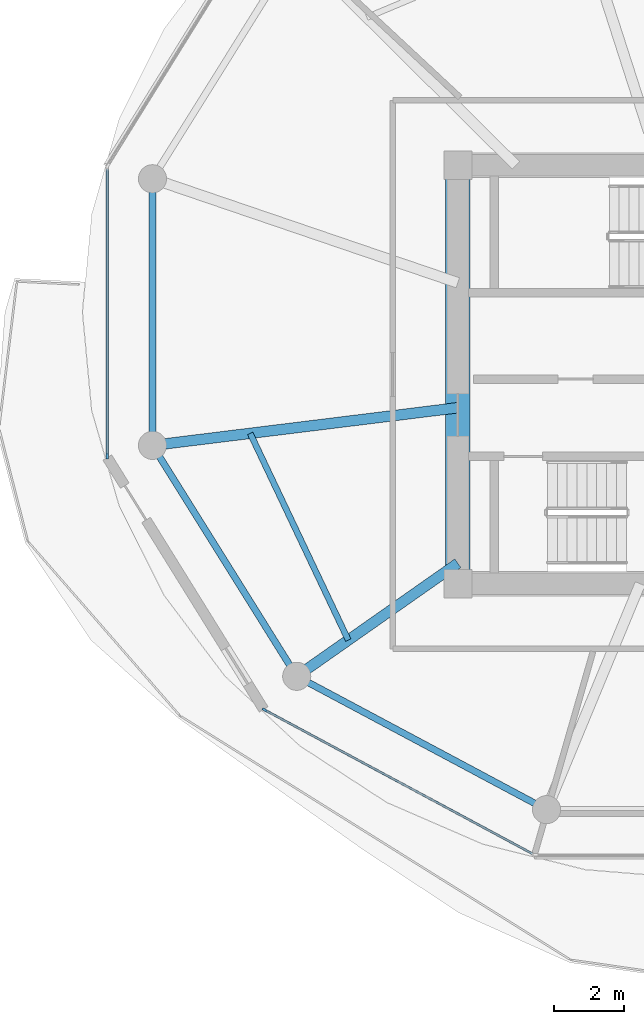
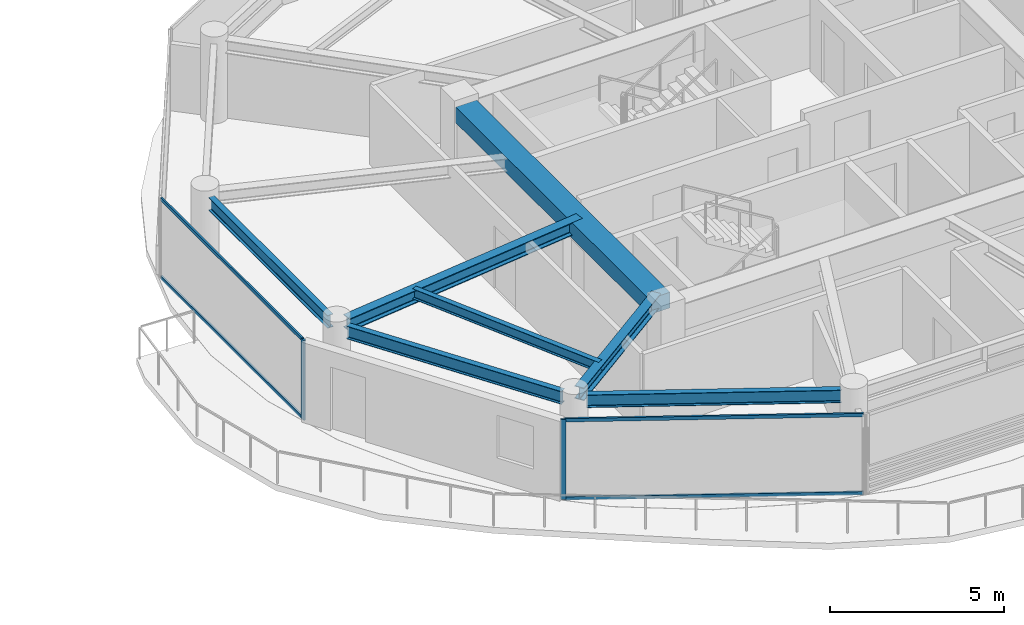
# One storey, part 6 of 21: 7 beams, 6 members, 2 elements without a shape of their own.
"""IFC4 building model written with IfcOpenShell, lengths in metres."""

from ifc_helpers import new_model, si_unit, direction, frame, origin, origin_2d, place, context, subcontext, project, spatial, rectangle, i_section, extrude, source, transform, mapped, material, layer, layer_set, material_profile, profile_set, type_object, type_shapes, element, aggregate, save


model = new_model("IFC4")

# Units and contexts
model_context = context("Model", 3, precision=1e-05, world=origin(), true_north=direction((0.0, 1.0)))
body_context = subcontext(model_context, "Body", "Model", "MODEL_VIEW")
ifc_project = project(units=[si_unit("LENGTHUNIT", "METRE"), si_unit("AREAUNIT", "SQUARE_METRE"), si_unit("VOLUMEUNIT", "CUBIC_METRE"), si_unit("PLANEANGLEUNIT", "RADIAN"), si_unit("MASSUNIT", "GRAM", prefix="KILO")], contexts=[model_context])

# Site, building, storey
site_placement = place(None, origin())
site = spatial("IfcSite", under=ifc_project, at=site_placement, CompositionType="ELEMENT")
building_placement = place(site_placement, origin())
building = spatial("IfcBuilding", under=site, at=building_placement, Name="Norrkilde Senior Care Towers", CompositionType="ELEMENT")
storey_placement = place(building_placement, frame((0.0, 0.0, 149.550048828125)))
storey = spatial("IfcBuildingStorey", under=building, at=storey_placement, Name="L46", CompositionType="ELEMENT", Elevation=149.550048828125)

# Beams
ifc_material_1 = material(Name="Concrete C60/75", Category="concrete")
ifc_material_profile_1 = material_profile(ifc_material_1, rectangle(XDim=0.699951171875, YDim=0.550048828125, at=origin_2d()), Name="RC BM 700x550")
ifc_profile_set_1 = profile_set([ifc_material_profile_1], Name="Concrete C60/75")
beam_type_1 = type_object("IfcBeamType", Name="Core Portal Coupling Beam 700x550", PredefinedType="USERDEFINED", material=ifc_profile_set_1)
shared_shape_1 = source(origin(), body_context, "Body", "SweptSolid", [
    extrude(rectangle(XDim=0.699951171875, YDim=0.550048828125, at=origin_2d()), origin(), (0.0, 0.0, 1.0), 11.14013671875),
])
type_shapes(beam_type_1, [shared_shape_1])
beam_1_placement = place(storey_placement, frame((20.35009765625, -5.570068359375, 2.534912109375), z_axis=(0.0, 1.0, 0.0), x_axis=(-1.0, 0.0, 0.0)))
element("IfcBeam", 1, at=beam_1_placement, inside=storey, type_object=beam_type_1, Name="L46 Core E W Coupling Girder", ObjectType="GIRDER", PredefinedType="USERDEFINED", context=body_context, shape_type="MappedRepresentation", body=[
    mapped(shared_shape_1, transform((0.0, 0.0, 0.0), x_axis=(1.0, 0.0, 0.0), y_axis=(0.0, 1.0, 0.0), z_axis=(0.0, 0.0, 1.0), scale=1.0)),
])
ifc_material_2 = material(Name="Steel S355", Category="steel")
ifc_material_profile_2 = material_profile(ifc_material_2, i_section(OverallWidth=0.18994140625, OverallDepth=0.449951171875, WebThickness=0.009521484375, FlangeThickness=0.0146484375, FilletRadius=0.02099609375, at=origin_2d()), Name="IPE 450")
ifc_profile_set_2 = profile_set([ifc_material_profile_2], Name="Steel S355")
beam_type_2 = type_object("IfcBeamType", Name="Perimeter Ring Spandrel Z3 IPE450", PredefinedType="SPANDREL", material=ifc_profile_set_2)
shared_shape_2 = source(origin(), body_context, "Body", "SweptSolid", [
    extrude(i_section(OverallWidth=0.18994140625, OverallDepth=0.449951171875, WebThickness=0.009521484375, FlangeThickness=0.0146484375, FilletRadius=0.02099609375, at=origin_2d()), origin(), (0.0, 0.0, 1.0), 6.86328125),
])
beam_2_placement = place(storey_placement, frame((11.6650390625, 5.20703125, 2.5849609375), z_axis=(0.0, -1.0, 0.0), x_axis=(1.0, 0.0, 0.0)))
element("IfcBeam", 2, at=beam_2_placement, inside=storey, type_object=beam_type_2, Name="L46 Drum E Perimeter Spandrel 06", PredefinedType="SPANDREL", context=body_context, shape_type="MappedRepresentation", body=[
    mapped(shared_shape_2, transform((0.0, 0.0, 0.0), x_axis=(1.0, 0.0, 0.0), y_axis=(0.0, 1.0, 0.0), z_axis=(0.0, 0.0, 1.0), scale=1.0)),
])
shared_shape_3 = source(origin(), body_context, "Body", "SweptSolid", [
    extrude(i_section(OverallWidth=0.18994140625, OverallDepth=0.449951171875, WebThickness=0.009521484375, FlangeThickness=0.0146484375, FilletRadius=0.02099609375, at=origin_2d()), origin(), (0.0, 0.0, 1.0), 7.023193359375),
])
beam_3_placement = place(storey_placement, frame((11.855712890625, -2.32177734375, 2.5849609375), z_axis=(0.529805197269, -0.848119362441, 0.0), x_axis=(0.848119362441, 0.529805197269, 0.0)))
element("IfcBeam", 3, at=beam_3_placement, inside=storey, type_object=beam_type_2, Name="L46 Drum E Perimeter Spandrel 07", PredefinedType="SPANDREL", context=body_context, shape_type="MappedRepresentation", body=[
    mapped(shared_shape_3, transform((0.0, 0.0, 0.0), x_axis=(1.0, 0.0, 0.0), y_axis=(0.0, 1.0, 0.0), z_axis=(0.0, 0.0, 1.0), scale=1.0)),
])
shared_shape_4 = source(origin(), body_context, "Body", "SweptSolid", [
    extrude(i_section(OverallWidth=0.18994140625, OverallDepth=0.449951171875, WebThickness=0.009521484375, FlangeThickness=0.0146484375, FilletRadius=0.02099609375, at=origin_2d()), origin(), (0.0, 0.0, 1.0), 7.333984375),
])
type_shapes(beam_type_2, [shared_shape_2, shared_shape_3, shared_shape_4])
beam_4_placement = place(storey_placement, frame((16.0849609375, -8.753173828125, 2.5849609375), z_axis=(0.882234038987, -0.470811109101, 0.0), x_axis=(0.470811109101, 0.882234038987, 0.0)))
element("IfcBeam", 4, at=beam_4_placement, inside=storey, type_object=beam_type_2, Name="L46 Drum E Perimeter Spandrel 08", PredefinedType="SPANDREL", context=body_context, shape_type="MappedRepresentation", body=[
    mapped(shared_shape_4, transform((0.0, 0.0, 0.0), x_axis=(1.0, 0.0, 0.0), y_axis=(0.0, 1.0, 0.0), z_axis=(0.0, 0.0, 1.0), scale=1.0)),
])
ifc_material_profile_3 = material_profile(ifc_material_2, i_section(OverallWidth=0.300048828125, OverallDepth=0.449951171875, WebThickness=0.013916015625, FlangeThickness=0.02587890625, FilletRadius=0.027099609375, at=origin_2d()), Name="HEB 450")
ifc_profile_set_3 = profile_set([ifc_material_profile_3], Name="Steel S355")
beam_type_3 = type_object("IfcBeamType", Name="Radial Floor Beam Z3 HEB450", PredefinedType="BEAM", material=ifc_profile_set_3)
shared_shape_5 = source(origin(), body_context, "Body", "SweptSolid", [
    extrude(i_section(OverallWidth=0.300048828125, OverallDepth=0.449951171875, WebThickness=0.013916015625, FlangeThickness=0.02587890625, FilletRadius=0.027099609375, at=origin_2d()), origin(), (0.0, 0.0, 1.0), 5.23828125),
])
beam_5_placement = place(storey_placement, frame((20.35009765625, -5.3681640625, 2.5849609375), z_axis=(-0.818592061291, -0.574375345215, 0.0), x_axis=(0.574375345215, -0.818592061291, 0.0)))
element("IfcBeam", 5, at=beam_5_placement, inside=storey, type_object=beam_type_3, Name="L46 Drum E Radial Floor Beam 08", PredefinedType="BEAM", context=body_context, shape_type="MappedRepresentation", body=[
    mapped(shared_shape_5, transform((0.0, 0.0, 0.0), x_axis=(1.0, 0.0, 0.0), y_axis=(0.0, 1.0, 0.0), z_axis=(0.0, 0.0, 1.0), scale=1.0)),
])
shared_shape_6 = source(origin(), body_context, "Body", "SweptSolid", [
    extrude(i_section(OverallWidth=0.300048828125, OverallDepth=0.449951171875, WebThickness=0.013916015625, FlangeThickness=0.02587890625, FilletRadius=0.027099609375, at=origin_2d()), origin(), (0.0, 0.0, 1.0), 8.390869140625),
])
type_shapes(beam_type_3, [shared_shape_5, shared_shape_6])
beam_6_placement = place(storey_placement, frame((20.35009765625, -0.9443359375, 2.5849609375), z_axis=(-0.99246916403, -0.122494728249, 0.0), x_axis=(0.122494728249, -0.99246916403, 0.0)))
element("IfcBeam", 6, at=beam_6_placement, inside=storey, type_object=beam_type_3, Name="L46 Drum E Radial Floor Beam 07", PredefinedType="BEAM", context=body_context, shape_type="MappedRepresentation", body=[
    mapped(shared_shape_6, transform((0.0, 0.0, 0.0), x_axis=(1.0, 0.0, 0.0), y_axis=(0.0, 1.0, 0.0), z_axis=(0.0, 0.0, 1.0), scale=1.0)),
])
ifc_material_profile_4 = material_profile(ifc_material_2, i_section(OverallWidth=0.169921875, OverallDepth=0.360107421875, WebThickness=0.008056640625, FlangeThickness=0.0126953125, FilletRadius=0.01806640625, at=origin_2d()), Name="IPE 360")
ifc_profile_set_4 = profile_set([ifc_material_profile_4], Name="Steel S355")
beam_type_4 = type_object("IfcBeamType", Name="Secondary Floor Joist IPE360", PredefinedType="JOIST", material=ifc_profile_set_4)
shared_shape_7 = source(origin(), body_context, "Body", "SweptSolid", [
    extrude(i_section(OverallWidth=0.169921875, OverallDepth=0.360107421875, WebThickness=0.008056640625, FlangeThickness=0.0126953125, FilletRadius=0.01806640625, at=origin_2d()), origin(), (0.0, 0.0, 1.0), 6.50927734375),
])
type_shapes(beam_type_4, [shared_shape_7])
beam_7_placement = place(storey_placement, frame((14.4443359375, -1.67333984375, 2.6298828125), z_axis=(0.428544169129, -0.90352083269, 0.0), x_axis=(0.90352083269, 0.428544169129, 0.0)))
element("IfcBeam", 7, at=beam_7_placement, inside=storey, type_object=beam_type_4, Name="L46 Drum E Secondary Floor Joist 3", PredefinedType="JOIST", context=body_context, shape_type="MappedRepresentation", body=[
    mapped(shared_shape_7, transform((0.0, 0.0, 0.0), x_axis=(1.0, 0.0, 0.0), y_axis=(0.0, 1.0, 0.0), z_axis=(0.0, 0.0, 1.0), scale=1.0)),
])

# Curtain wall, member
ifc_material_3 = material(Name="Triple Low-E Insulated Glazing", Category="glass")
ifc_layer = layer(ifc_material_3, 0.18994140625)
ifc_layer_set = layer_set([ifc_layer], Name="Triple Low-E Insulated Glazing")
curtain_wall_type = type_object("IfcCurtainWallType", Name="CW4 Zone 3 Senior Residence Curtain Wall", PredefinedType="NOTDEFINED", material=ifc_layer_set)
curtain_wall_1_placement = place(storey_placement, origin())
curtain_wall_1 = element("IfcCurtainWall", 8, at=curtain_wall_1_placement, inside=storey, type_object=curtain_wall_type, Name="L46 Drum E Curtain Wall 05", PredefinedType="NOTDEFINED")
ifc_material_4 = material(Name="Anodised Aluminium", Category="aluminium")
ifc_material_profile_5 = material_profile(ifc_material_4, rectangle(XDim=0.06494140625, YDim=0.14990234375, at=origin_2d()), Name="ALU MULL 65x150")
ifc_profile_set_5 = profile_set([ifc_material_profile_5], Name="Anodised Aluminium")
member_type_1 = type_object("IfcMemberType", Name="Curtain Wall Mullion Z3-Z4 65x150", PredefinedType="MULLION", material=ifc_profile_set_5)
shared_shape_8 = source(origin(), body_context, "Body", "SweptSolid", [
    extrude(rectangle(XDim=0.06494140625, YDim=0.14990234375, at=origin_2d()), origin(), (0.0, 0.0, 1.0), 2.81005859375),
])
type_shapes(member_type_1, [shared_shape_8])
member_1_placement = place(storey_placement, frame((10.38037109375, -2.328125, 0.0), z_axis=(0.0, 0.0, 1.0), x_axis=(-1.0, 0.0, 0.0)))
member_1 = element("IfcMember", 9, at=member_1_placement, type_object=member_type_1, Name="CW-4 mullion 1", PredefinedType="MULLION", context=body_context, shape_type="MappedRepresentation", body=[
    mapped(shared_shape_8, transform((0.0, 0.0, 0.0), x_axis=(1.0, 0.0, 0.0), y_axis=(0.0, 1.0, 0.0), z_axis=(0.0, 0.0, 1.0), scale=1.0)),
])

# Curtain wall, members
curtain_wall_2_placement = place(storey_placement, origin())
curtain_wall_2 = element("IfcCurtainWall", 10, at=curtain_wall_2_placement, inside=storey, type_object=curtain_wall_type, Name="L46 Drum E Curtain Wall 07", PredefinedType="NOTDEFINED")
member_2_placement = place(storey_placement, frame((14.85546875, -9.53955078125, 0.0), z_axis=(0.0, 0.0, 1.0), x_axis=(-0.47311715104, -0.880999524059, 0.0)))
member_2 = element("IfcMember", 11, at=member_2_placement, type_object=member_type_1, Name="CW-4 mullion 2", PredefinedType="MULLION", context=body_context, shape_type="MappedRepresentation", body=[
    mapped(shared_shape_8, transform((0.0, 0.0, 0.0), x_axis=(1.0, 0.0, 0.0), y_axis=(0.0, 1.0, 0.0), z_axis=(0.0, 0.0, 1.0), scale=1.0)),
])
ifc_material_profile_6 = material_profile(ifc_material_4, rectangle(XDim=0.06005859375, YDim=0.1201171875, at=origin_2d()), Name="ALU TRAN 60x120")
ifc_profile_set_6 = profile_set([ifc_material_profile_6], Name="Anodised Aluminium")
member_type_2 = type_object("IfcMemberType", Name="Curtain Wall Transom Typical 60x120", PredefinedType="USERDEFINED", material=ifc_profile_set_6)
shared_shape_9 = source(origin(), body_context, "Body", "SweptSolid", [
    extrude(rectangle(XDim=0.06005859375, YDim=0.1201171875, at=origin_2d()), origin(), (0.0, 0.0, 1.0), 8.61181640625),
])
member_3_placement = place(storey_placement, frame((22.47119140625, -13.62939453125, 0.030029296875), z_axis=(-0.880993991641, 0.473127452906, 0.0), x_axis=(-0.473127452906, -0.880993991641, 0.0)))
member_3 = element("IfcMember", 12, at=member_3_placement, type_object=member_type_2, Name="CW-4 transom 1.1", ObjectType="TRANSOM", PredefinedType="USERDEFINED", context=body_context, shape_type="MappedRepresentation", body=[
    mapped(shared_shape_9, transform((0.0, 0.0, 0.0), x_axis=(1.0, 0.0, 0.0), y_axis=(0.0, 1.0, 0.0), z_axis=(0.0, 0.0, 1.0), scale=1.0)),
])
member_4_placement = place(storey_placement, frame((22.47119140625, -13.62939453125, 2.780029296875), z_axis=(-0.880993991641, 0.473127452906, 0.0), x_axis=(-0.473127452906, -0.880993991641, 0.0)))
member_4 = element("IfcMember", 13, at=member_4_placement, type_object=member_type_2, Name="CW-4 transom 1.2", ObjectType="TRANSOM", PredefinedType="USERDEFINED", context=body_context, shape_type="MappedRepresentation", body=[
    mapped(shared_shape_9, transform((0.0, 0.0, 0.0), x_axis=(1.0, 0.0, 0.0), y_axis=(0.0, 1.0, 0.0), z_axis=(0.0, 0.0, 1.0), scale=1.0)),
])
aggregate(curtain_wall_2, [member_2, member_3, member_4])

# Member
shared_shape_10 = source(origin(), body_context, "Body", "SweptSolid", [
    extrude(rectangle(XDim=0.06005859375, YDim=0.1201171875, at=origin_2d()), origin(), (0.0, 0.0, 1.0), 8.141845703125),
])
type_shapes(member_type_2, [shared_shape_9, shared_shape_10])
member_5_placement = place(storey_placement, frame((10.38037109375, -2.295654296875, 0.030029296875), z_axis=(0.0, 1.0, 0.0), x_axis=(-1.0, 0.0, 0.0)))
member_5 = element("IfcMember", 14, at=member_5_placement, type_object=member_type_2, Name="CW-4 transom 1.1", ObjectType="TRANSOM", PredefinedType="USERDEFINED", context=body_context, shape_type="MappedRepresentation", body=[
    mapped(shared_shape_10, transform((0.0, 0.0, 0.0), x_axis=(1.0, 0.0, 0.0), y_axis=(0.0, 1.0, 0.0), z_axis=(0.0, 0.0, 1.0), scale=1.0)),
])

member_6_placement = place(storey_placement, frame((10.38037109375, -2.295654296875, 2.780029296875), z_axis=(0.0, 1.0, 0.0), x_axis=(-1.0, 0.0, 0.0)))
member_6 = element("IfcMember", 15, at=member_6_placement, type_object=member_type_2, Name="CW-4 transom 1.2", ObjectType="TRANSOM", PredefinedType="USERDEFINED", context=body_context, shape_type="MappedRepresentation", body=[
    mapped(shared_shape_10, transform((0.0, 0.0, 0.0), x_axis=(1.0, 0.0, 0.0), y_axis=(0.0, 1.0, 0.0), z_axis=(0.0, 0.0, 1.0), scale=1.0)),
])

aggregate(curtain_wall_1, [member_1, member_5, member_6])

save(model, "model.ifc")
